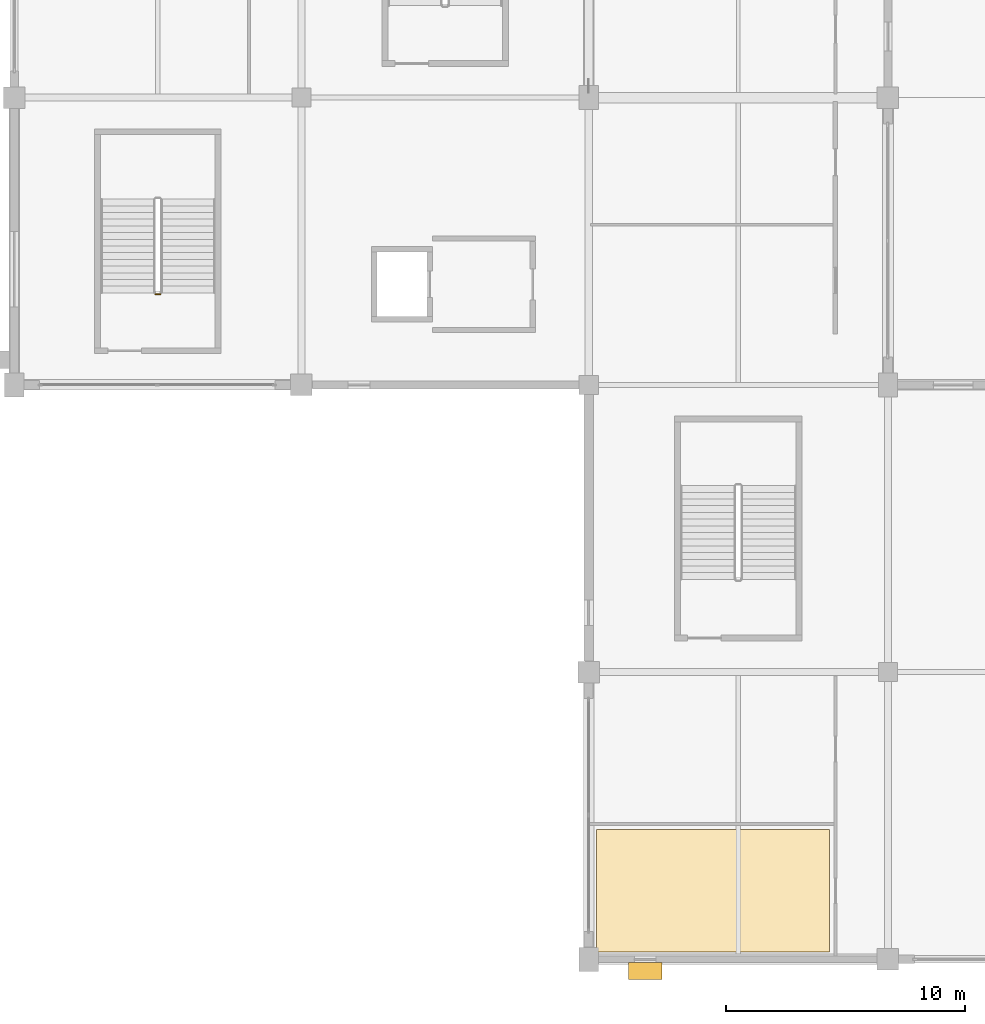
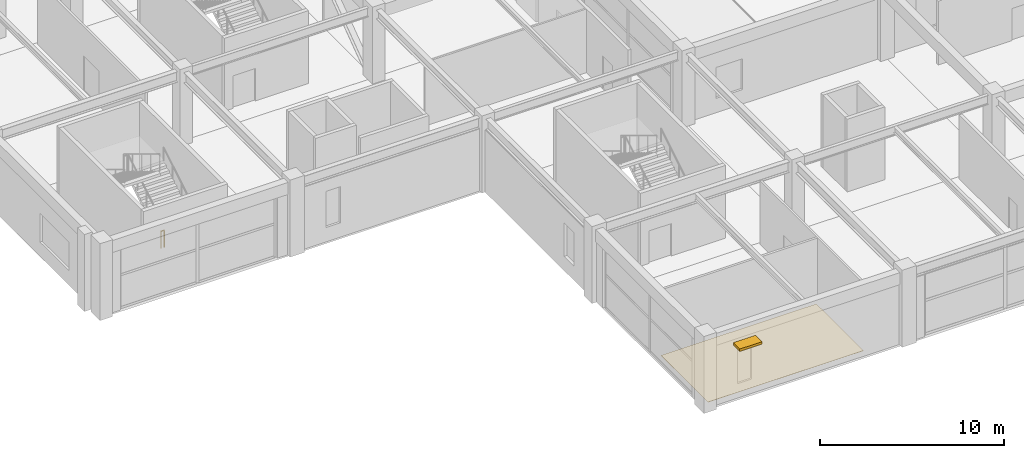
# One storey, part 86 of 116: 1 covering, 1 railing, 1 shading device.
"""IFC4 building model written with IfcOpenShell, lengths in metres."""

from ifc_helpers import new_model, si_unit, direction, frame, origin, origin_2d, place, context, subcontext, project, spatial, polyline, rectangle, circle, outline, extrude, material, layer, layer_set, type_object, element, save


model = new_model("IFC4")

# Units and contexts
model_context = context("Model", 3, precision=1e-05, world=origin(), true_north=direction((0.0, 1.0)))
body_context = subcontext(model_context, "Body", "Model", "MODEL_VIEW")
ifc_project = project(units=[si_unit("LENGTHUNIT", "METRE"), si_unit("AREAUNIT", "SQUARE_METRE"), si_unit("VOLUMEUNIT", "CUBIC_METRE"), si_unit("PLANEANGLEUNIT", "RADIAN"), si_unit("MASSUNIT", "GRAM", prefix="KILO")], contexts=[model_context])

# Site, building, storey
site_placement = place(None, origin())
site = spatial("IfcSite", under=ifc_project, at=site_placement, CompositionType="ELEMENT")
building_placement = place(site_placement, origin())
building = spatial("IfcBuilding", under=site, at=building_placement, Name="Kazenohara Klinker Stadium", CompositionType="ELEMENT")
storey_placement = place(building_placement, frame((0.0, 0.0, 10.199951171875)))
storey = spatial("IfcBuildingStorey", under=building, at=storey_placement, Name="L02", CompositionType="ELEMENT", Elevation=10.199951171875)

# Covering
ifc_material_1 = material(Name="Cushioned EPDM sports rubber flooring", Category="rubber")
ifc_layer_1 = layer(ifc_material_1, 0.014892578125)
ifc_layer_set_1 = layer_set([ifc_layer_1], Name="Cushioned EPDM sports rubber flooring")
covering_type = type_object("IfcCoveringType", Name="COV-FLR-02", PredefinedType="FLOORING", material=ifc_layer_set_1)
covering_placement = place(storey_placement, origin())
element("IfcCovering", 1, at=covering_placement, inside=storey, type_object=covering_type, Name="Interior floor finish FL02 Club Reception Dining Lounge L02-0201A", PredefinedType="FLOORING", context=body_context, shape_type="SweptSolid", body=[
    extrude(outline(polyline([(24.330078125, 12.31005859375), (34.070068359375, 12.31005859375), (34.070068359375, 17.419677734375), (24.330078125, 17.419677734375), (24.330078125, 12.31005859375)])), origin(), (0.0, 0.0, 1.0), 0.01513671875),
])

# Railing
ifc_material_2 = material(Name="Painted steel stairwell guardrail", Category="steel")
ifc_layer_2 = layer(ifc_material_2, 0.06005859375)
ifc_layer_set_2 = layer_set([ifc_layer_2], Name="Painted steel stairwell guardrail")
railing_type = type_object("IfcRailingType", Name="RL-STG-1120", PredefinedType="GUARDRAIL", material=ifc_layer_set_2)
railing_placement = place(storey_placement, frame((6.10009765625, 39.7900390625, 0.0)))
element("IfcRailing", 2, at=railing_placement, inside=storey, type_object=railing_type, Name="L02 ST01 stair guard 4", PredefinedType="GUARDRAIL", context=body_context, shape_type="SweptSolid", body=[
    extrude(circle(Radius=0.02392578125, at=origin_2d()), frame((0.0, 0.0, 1.1259765625), z_axis=(-1.0, 0.0, 0.0), x_axis=(0.0, -1.0, 0.0)), (0.0, 0.0, 1.0), 0.2001953125),
    extrude(circle(Radius=0.02099609375, at=origin_2d()), origin(), (0.0, 0.0, 1.0), 1.101806640625),
    extrude(circle(Radius=0.02099609375, at=origin_2d()), frame((-0.2001953125, 0.0, 0.0)), (0.0, 0.0, 1.0), 1.101806640625),
])

# Shading device
ifc_material_3 = material(Name="Bronze-anodised aluminium snow-hood sunshade", Category="aluminium")
shading_device_type = type_object("IfcShadingDeviceType", Name="SHD-SUN-01", PredefinedType="AWNING", material=ifc_material_3)
shading_device_placement = place(storey_placement, frame((26.35400390625, 11.514892578125, 3.60009765625), z_axis=(0.0, 0.0, 1.0), x_axis=(1.0, 0.0, 0.0)))
element("IfcShadingDevice", 3, at=shading_device_placement, inside=storey, type_object=shading_device_type, Name="Bronze snow-hood sunshade SS01-13", PredefinedType="AWNING", context=body_context, shape_type="SweptSolid", body=[
    extrude(rectangle(XDim=1.39990234375, YDim=0.699951171875, at=origin_2d()), origin(), (0.0, 0.0, 1.0), 0.159912109375),
])

save(model, "model.ifc")
